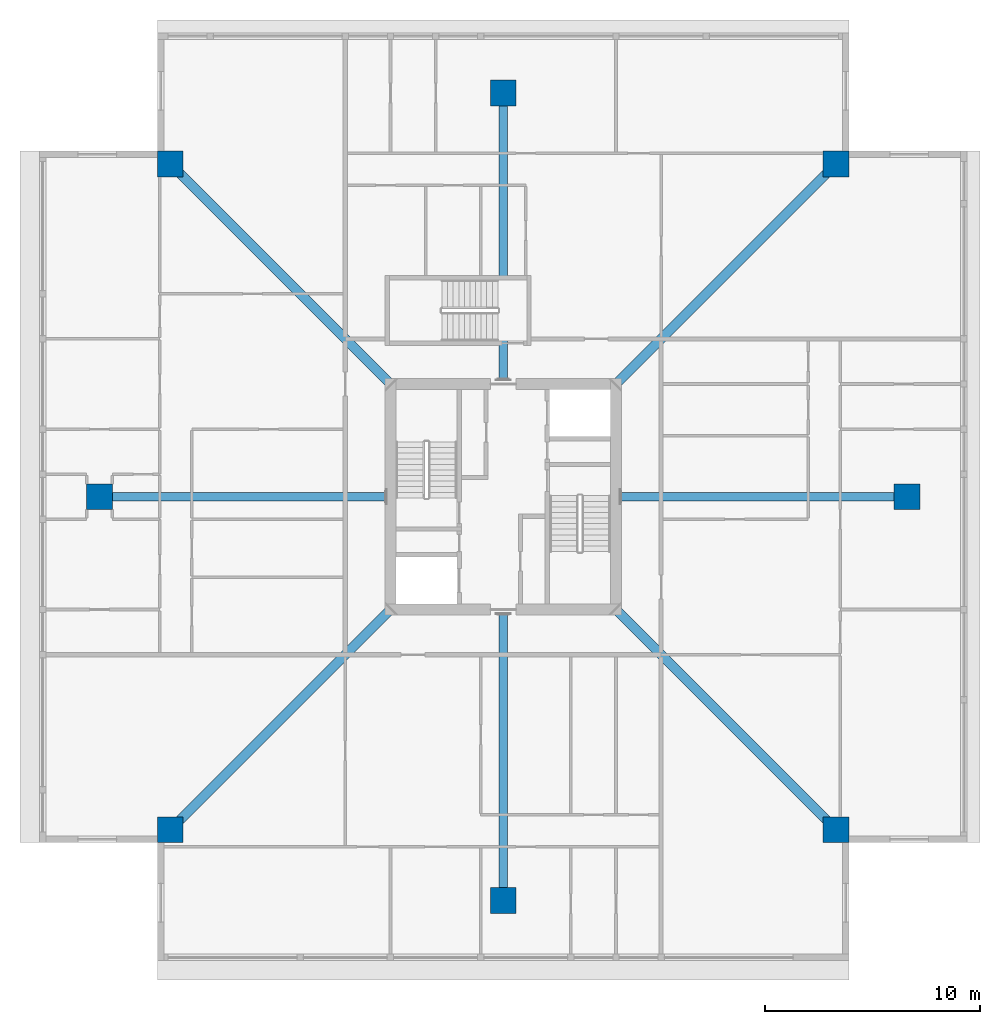
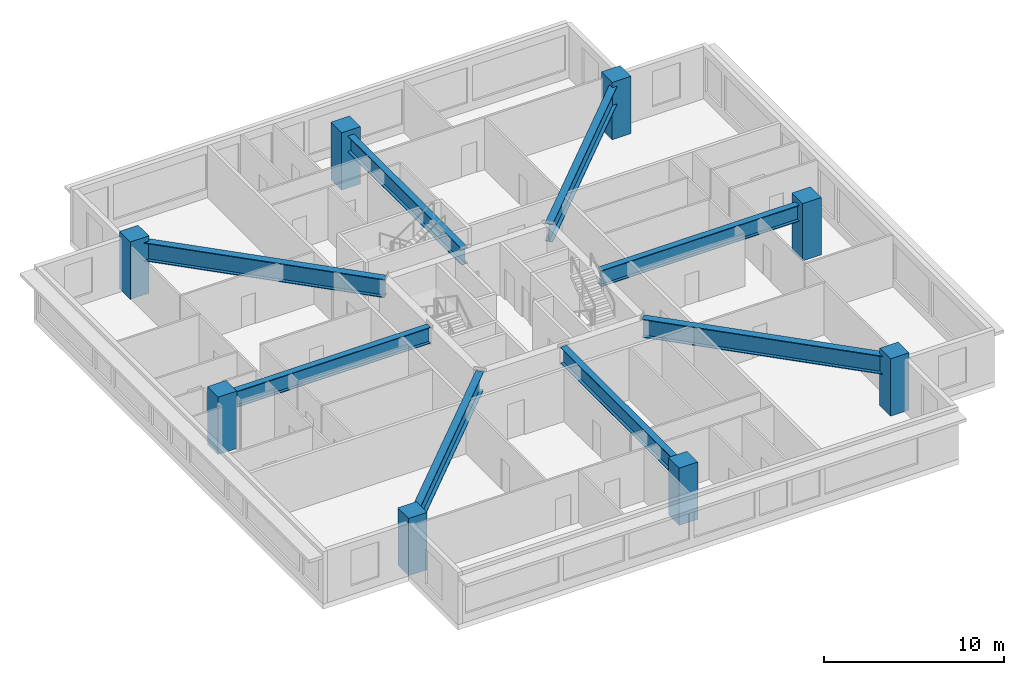
# One storey, part 1 of 12: 8 beams, 8 columns.
"""IFC4 building model written with IfcOpenShell, lengths in metres."""

from ifc_helpers import new_model, si_unit, direction, frame, origin, origin_2d, place, context, subcontext, project, spatial, rectangle, i_section, extrude, material, material_profile, profile_set, type_object, element, save


model = new_model("IFC4")

# Units and contexts
model_context = context("Model", 3, precision=1e-05, world=origin(), true_north=direction((0.0, 1.0)))
body_context = subcontext(model_context, "Body", "Model", "MODEL_VIEW")
ifc_project = project(units=[si_unit("LENGTHUNIT", "METRE"), si_unit("AREAUNIT", "SQUARE_METRE"), si_unit("VOLUMEUNIT", "CUBIC_METRE"), si_unit("PLANEANGLEUNIT", "RADIAN"), si_unit("MASSUNIT", "GRAM", prefix="KILO")], contexts=[model_context])

# Site, building, storey
site_placement = place(None, origin())
site = spatial("IfcSite", under=ifc_project, at=site_placement, CompositionType="ELEMENT")
building_placement = place(site_placement, origin())
building = spatial("IfcBuilding", under=site, at=building_placement, Name="Khepri Terraces", CompositionType="ELEMENT")
storey_placement = place(building_placement, frame((0.0, 0.0, 296.699951171875)))
storey = spatial("IfcBuildingStorey", under=building, at=storey_placement, Name="L71", CompositionType="ELEMENT", Elevation=296.699951171875)

# Columns
ifc_material_1 = material(Name="Concrete C40/50", Category="concrete")
ifc_material_profile_1 = material_profile(ifc_material_1, rectangle(XDim=1.199951171875, YDim=1.199951171875, at=origin_2d()), Name="Concrete C40/50", Category="concrete")
ifc_profile_set_1 = profile_set([ifc_material_profile_1], Name="Concrete C40/50")
column_type = type_object("IfcColumnType", Name="Crown column RC 1200x1200 C40/50", PredefinedType="COLUMN", material=ifc_profile_set_1)
for number, where, z_axis, x_axis, name in (
    (1, (18.800048828125, 0.0, 0.0), (0.0, 0.0, 1.0), (1.0, 0.0, 0.0), "Crown column CT1E L71"),
    (2, (15.5, 15.5, 0.0), (0.0, 0.0, 1.0), (1.0, 0.0, 0.0), "Crown column CT1EN L71"),
    (3, (15.5, -15.5, 0.0), (0.0, 0.0, 1.0), (1.0, 0.0, 0.0), "Crown column CT1ES L71"),
    (4, (0.0, 18.800048828125, 0.0), (0.0, 0.0, 1.0), (1.0, 0.0, 0.0), "Crown column CT1N L71"),
    (5, (0.0, -18.800048828125, 0.0), (0.0, 0.0, 1.0), (1.0, 0.0, 0.0), "Crown column CT1S L71"),
    (6, (-18.800048828125, 0.0, 0.0), (0.0, 0.0, 1.0), (1.0, 0.0, 0.0), "Crown column CT1W L71"),
    (7, (-15.5, 15.5, 0.0), (0.0, 0.0, 1.0), (1.0, 0.0, 0.0), "Crown column CT1WN L71"),
    (8, (-15.5, -15.5, 0.0), (0.0, 0.0, 1.0), (1.0, 0.0, 0.0), "Crown column CT1WS L71"),
):
    element("IfcColumn", number, at=place(storey_placement, frame(where, z_axis=z_axis, x_axis=x_axis)), inside=storey, type_object=column_type, Name=name, PredefinedType="COLUMN", context=body_context, shape_type="SweptSolid", body=[
        extrude(rectangle(XDim=1.199951171875, YDim=1.199951171875, at=origin_2d()), origin(), (0.0, 0.0, 1.0), 3.900146484375),
    ])

# Beams
ifc_material_2 = material(Name="Steel S355", Category="steel")
ifc_material_profile_2 = material_profile(ifc_material_2, i_section(OverallWidth=0.39990234375, OverallDepth=1.10009765625, WebThickness=0.02490234375, FlangeThickness=0.0400390625, at=origin_2d()), Name="Steel S355", Category="steel")
ifc_profile_set_2 = profile_set([ifc_material_profile_2], Name="Steel S355")
beam_type_1 = type_object("IfcBeamType", Name="Crown transfer girder PG 1100x400", PredefinedType="BEAM", material=ifc_profile_set_2)
for number, where, z_axis, x_axis, name in (
    (9, (0.0, -5.5, 3.0), (0.0, -1.0, 0.0), (1.0, 0.0, 0.0), "Crown transfer girder CG-L71-S"),
    (10, (5.5, 0.0, 3.0), (1.0, 0.0, 0.0), (0.0, 1.0, 0.0), "Crown transfer girder CG-L71-E"),
    (11, (0.0, 5.5, 3.0), (0.0, 1.0, 0.0), (-1.0, 0.0, 0.0), "Crown transfer girder CG-L71-N"),
    (12, (-5.5, 0.0, 3.0), (-1.0, 0.0, 0.0), (0.0, -1.0, 0.0), "Crown transfer girder CG-L71-W"),
):
    element("IfcBeam", number, at=place(storey_placement, frame(where, z_axis=z_axis, x_axis=x_axis)), inside=storey, type_object=beam_type_1, Name=name, PredefinedType="BEAM", context=body_context, shape_type="SweptSolid", body=[
        extrude(i_section(OverallWidth=0.39990234375, OverallDepth=1.10009765625, WebThickness=0.02490234375, FlangeThickness=0.0400390625, at=origin_2d()), origin(), (0.0, 0.0, 1.0), 12.699951171875),
    ])
ifc_material_profile_3 = material_profile(ifc_material_2, i_section(OverallWidth=0.449951171875, OverallDepth=1.25, WebThickness=0.030029296875, FlangeThickness=0.044921875, at=origin_2d()), Name="Steel S355", Category="steel")
ifc_profile_set_3 = profile_set([ifc_material_profile_3], Name="Steel S355")
beam_type_2 = type_object("IfcBeamType", Name="Crown transfer girder PG 1250x450", PredefinedType="BEAM", material=ifc_profile_set_3)
for number, where, z_axis, x_axis, name in (
    (13, (5.25, 5.25, 2.925048828125), (0.707106781187, 0.707106781187, 0.0), (-0.707106781187, 0.707106781187, 0.0), "Crown transfer girder CG-L71-EN"),
    (14, (5.25, -5.25, 2.925048828125), (0.707106781187, -0.707106781187, 0.0), (0.707106781187, 0.707106781187, 0.0), "Crown transfer girder CG-L71-ES"),
    (15, (-5.25, 5.25, 2.925048828125), (-0.707106781187, 0.707106781187, 0.0), (-0.707106781187, -0.707106781187, 0.0), "Crown transfer girder CG-L71-WN"),
    (16, (-5.25, -5.25, 2.925048828125), (-0.707106781187, -0.707106781187, 0.0), (0.707106781187, -0.707106781187, 0.0), "Crown transfer girder CG-L71-WS"),
):
    element("IfcBeam", number, at=place(storey_placement, frame(where, z_axis=z_axis, x_axis=x_axis)), inside=storey, type_object=beam_type_2, Name=name, PredefinedType="BEAM", context=body_context, shape_type="SweptSolid", body=[
        extrude(i_section(OverallWidth=0.449951171875, OverallDepth=1.25, WebThickness=0.030029296875, FlangeThickness=0.044921875, at=origin_2d()), origin(), (0.0, 0.0, 1.0), 14.195556640625),
    ])

save(model, "model.ifc")
